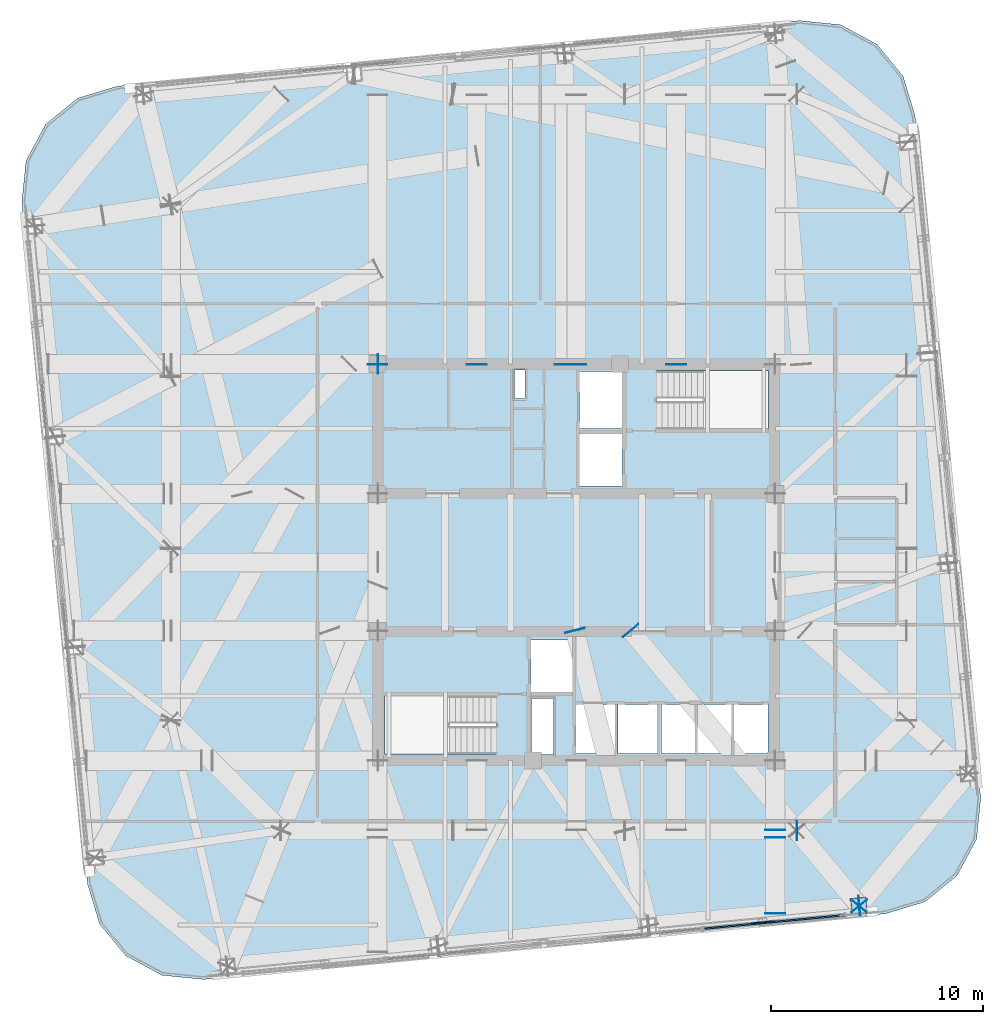
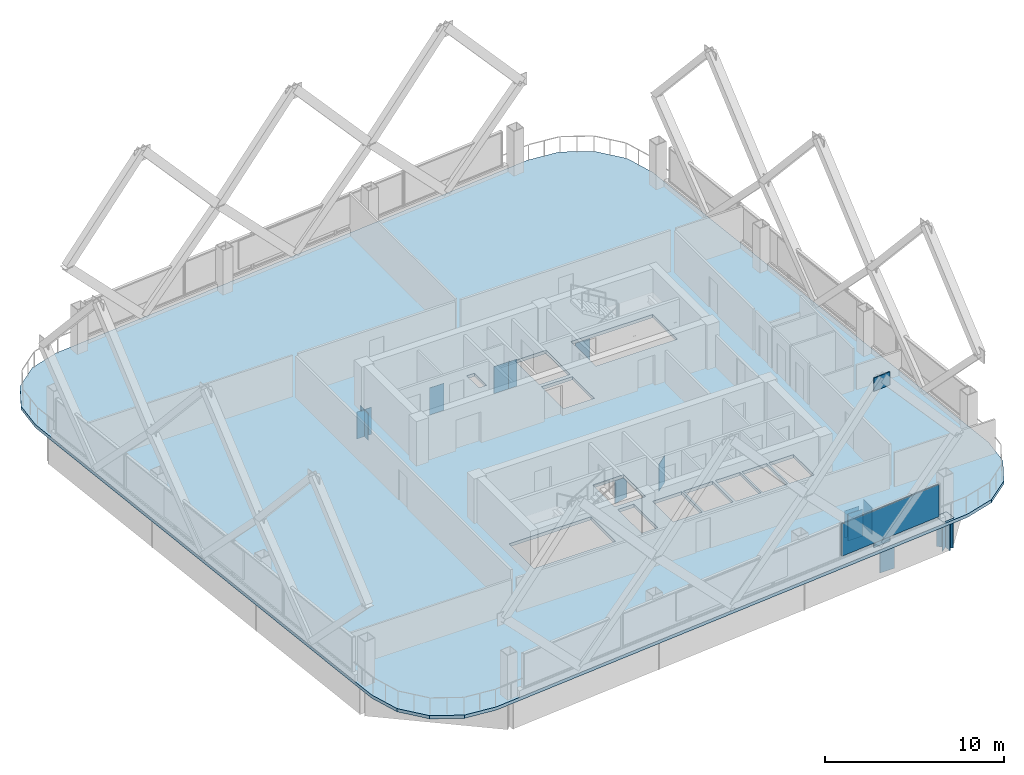
# One storey, part 30 of 37: 19 plates, 1 slab, 1 element without a shape of its own.
"""IFC4 building model written with IfcOpenShell, lengths in metres."""

from ifc_helpers import new_model, si_unit, direction, frame, origin, origin_2d, place, context, subcontext, project, spatial, polyline, rectangle, outline, extrude, material, layer, layer_set, type_object, element, aggregate, save


model = new_model("IFC4")

# Units and contexts
model_context = context("Model", 3, precision=1e-05, world=origin(), true_north=direction((0.0, 1.0)))
body_context = subcontext(model_context, "Body", "Model", "MODEL_VIEW")
ifc_project = project(units=[si_unit("LENGTHUNIT", "METRE"), si_unit("AREAUNIT", "SQUARE_METRE"), si_unit("VOLUMEUNIT", "CUBIC_METRE"), si_unit("PLANEANGLEUNIT", "RADIAN"), si_unit("MASSUNIT", "GRAM", prefix="KILO")], contexts=[model_context])

# Site, building, storey
site_placement = place(None, origin())
site = spatial("IfcSite", under=ifc_project, at=site_placement, CompositionType="ELEMENT")
building_placement = place(site_placement, origin())
building = spatial("IfcBuilding", under=site, at=building_placement, Name="Qhalaya Broadcast Tower", CompositionType="ELEMENT")
storey_placement = place(building_placement, frame((0.0, 0.0, 156.14990234375)))
storey = spatial("IfcBuildingStorey", under=building, at=storey_placement, Name="L45", CompositionType="ELEMENT", Elevation=156.14990234375)

# Plates
ifc_material_1 = material(Name="Structural Steel ASTM A572 Grade 50", Category="steel")
ifc_layer_1 = layer(ifc_material_1, 0.054931640625, Name="Structural Steel ASTM A572 Grade 50")
ifc_layer_set_1 = layer_set([ifc_layer_1], Name="Structural Steel ASTM A572 Grade 50")
plate_type_1 = type_object("IfcPlateType", Name="Exoskeleton Diamond Node Gusset Plate NP-01", PredefinedType="USERDEFINED", material=ifc_layer_set_1)
for number, where, z_axis, x_axis, name in (
    (1, (8.790771484375, -16.35986328125, 0.210205078125), (0.0, 0.0, 1.0), (0.995396198367, 0.09584575252, 0.0), "Exoskeleton Diamond Node B4-S3-BOT"),
    (2, (8.790771484375, -16.35986328125, 10.85009765625), (0.0, 0.0, 1.0), (0.995396198367, 0.09584575252, 0.0), "Exoskeleton Diamond Node B4-S3-TOP"),
):
    element("IfcPlate", number, at=place(storey_placement, frame(where, z_axis=z_axis, x_axis=x_axis)), inside=storey, type_object=plate_type_1, Name=name, ObjectType="GUSSET_PLATE", PredefinedType="USERDEFINED", context=body_context, shape_type="SweptSolid", body=[
        extrude(rectangle(XDim=1.10009765625, YDim=0.054931640625, at=origin_2d()), origin(), (0.0, 0.0, 1.0), 0.89990234375),
    ])
ifc_layer_2 = layer(ifc_material_1, 0.4599609375, Name="Structural Steel ASTM A572 Grade 50")
ifc_layer_set_2 = layer_set([ifc_layer_2], Name="Structural Steel ASTM A572 Grade 50")
plate_type_2 = type_object("IfcPlateType", Name="Hollow Box Member End Cap Plate CP-01", PredefinedType="USERDEFINED", material=ifc_layer_set_2)
for number, where, z_axis, x_axis, name in (
    (3, (13.336181640625, -15.58056640625, -2.0400390625), (0.0, 0.0, 1.0), (-0.09584575252, 0.995396198367, 0.0), "L45 Hollow Girder End Cap L45-SPR-03-B"),
    (4, (13.310302734375, -15.59423828125, -2.0400390625), (0.0, 0.0, 1.0), (-0.771624583388, 0.636078220278, 0.0), "L45 Hollow Girder End Cap L45-SPR-04-A"),
    (5, (10.39599609375, -12.0400390625, -2.0400390625), (0.0, 0.0, 1.0), (0.0, 1.0, 0.0), "L45 Hollow Girder End Cap L45-TGL-03-B"),
    (6, (-9.375, 9.93408203125, -2.0400390625), (0.0, 0.0, 1.0), (-1.0, 0.0, 0.0), "L45 Hollow Girder End Cap L45-TGINW-1-A"),
    (7, (0.0, 9.93408203125, -2.0400390625), (0.0, 0.0, 1.0), (-1.0, 0.0, 0.0), "L45 Hollow Girder End Cap L45-TGIMN-1-A"),
    (8, (-4.699951171875, 9.93408203125, -2.0400390625), (0.0, 0.0, 1.0), (-1.0, 0.0, 0.0), "L45 Hollow Girder End Cap L45-TGIMNW-1-A"),
    (9, (4.699951171875, 9.93408203125, -2.0400390625), (0.0, 0.0, 1.0), (-1.0, 0.0, 0.0), "L45 Hollow Girder End Cap L45-TGIMNE-1-A"),
    (10, (9.375, -12.01611328125, -2.0400390625), (0.0, 0.0, 1.0), (-1.0, 0.0, 0.0), "L45 Hollow Girder End Cap L45-TGISE-1-A"),
    (11, (-9.35888671875, 9.949951171875, -2.0400390625), (0.0, 0.0, 1.0), (0.0, 1.0, 0.0), "L45 Hollow Girder End Cap L45-TGIY4W-1-B"),
    (12, (-0.06787109375, -2.609619140625, -2.0400390625), (0.0, 0.0, 1.0), (0.970380113833, 0.241583183765, 0.0), "L45 Hollow Girder End Cap L45-TGA-03-A"),
    (13, (2.553955078125, -2.61279296875, -2.0400390625), (0.0, 0.0, 1.0), (0.769421851781, 0.638740960015, 0.0), "L45 Hollow Girder End Cap L45-TGA-04-A"),
    (14, (13.33056640625, -15.59423828125, -2.0400390625), (0.0, 0.0, 1.0), (0.769421851781, 0.638740960015, 0.0), "L45 Hollow Girder End Cap L45-TGC-04-B"),
    (15, (-0.558837890625, 9.93408203125, -2.0400390625), (0.0, 0.0, 1.0), (-1.0, 0.0, 0.0), "L45 Hollow Girder End Cap L45-TGA-10-A"),
    (16, (9.375, -15.957763671875, -2.0400390625), (0.0, 0.0, 1.0), (-1.0, 0.0, 0.0), "L45 Hollow Girder End Cap L45-PGXS2-OV1-A"),
    (17, (9.375, -12.364013671875, -2.0400390625), (0.0, 0.0, 1.0), (-1.0, 0.0, 0.0), "L45 Hollow Girder End Cap L45-PGXS2-OV1-B"),
):
    element("IfcPlate", number, at=place(storey_placement, frame(where, z_axis=z_axis, x_axis=x_axis)), inside=storey, type_object=plate_type_2, Name=name, ObjectType="COVER_PLATE", PredefinedType="USERDEFINED", context=body_context, shape_type="SweptSolid", body=[
        extrude(rectangle(XDim=0.93994140625, YDim=0.031982421875, at=origin_2d()), origin(), (0.0, 0.0, 1.0), 1.840087890625),
    ])
plate_1_placement = place(storey_placement, frame((13.3203125, -15.58203125, -0.03173828125), z_axis=(0.0, 0.0, 1.0), x_axis=(0.995396198367, 0.09584575252, 0.0)))
element("IfcPlate", 18, at=plate_1_placement, inside=storey, type_object=plate_type_2, Name="L45 Hollow Box Column Base Cap Plate COL-EX04", ObjectType="COVER_PLATE", PredefinedType="USERDEFINED", context=body_context, shape_type="SweptSolid", body=[
    extrude(rectangle(XDim=0.739990234375, YDim=0.739990234375, at=origin_2d()), origin(), (0.0, 0.0, 1.0), 0.031982421875),
])

# Curtain wall, plate
ifc_material_2 = material(Name="Fired Architectural Terracotta", Category="masonry")
ifc_layer_3 = layer(ifc_material_2, 0.219970703125, Name="Fired Architectural Terracotta")
ifc_layer_set_3 = layer_set([ifc_layer_3], Name="Fired Architectural Terracotta")
curtain_wall_type = type_object("IfcCurtainWallType", Name="Block-Cap Unitised Terracotta Spandrel Wall CW-07", PredefinedType="NOTDEFINED", material=ifc_layer_set_3)
curtain_wall_placement = place(storey_placement, origin())
curtain_wall = element("IfcCurtainWall", 19, at=curtain_wall_placement, inside=storey, type_object=curtain_wall_type, Name="L45 Unitised Curtain Wall L45-CW-S5", PredefinedType="NOTDEFINED")
ifc_layer_4 = layer(ifc_material_2, 0.080078125, Name="Fired Architectural Terracotta")
ifc_layer_set_4 = layer_set([ifc_layer_4], Name="Fired Architectural Terracotta")
plate_type_3 = type_object("IfcPlateType", Name="Insulated Terracotta Spandrel Panel TSP-07", PredefinedType="CURTAIN_PANEL", material=ifc_layer_set_4)
plate_2_placement = place(storey_placement, frame((9.33544921875, -16.347412109375, 0.55517578125), z_axis=(0.0, 0.0, 1.0), x_axis=(0.99539669829, 0.095840560477, 0.0)))
plate_2 = element("IfcPlate", 20, at=plate_2_placement, type_object=plate_type_3, Name="CW-07 panel 1.1", PredefinedType="CURTAIN_PANEL", context=body_context, shape_type="SweptSolid", body=[
    extrude(rectangle(XDim=6.630126953125, YDim=0.080078125, at=origin_2d()), origin(), (0.0, 0.0, 1.0), 2.199951171875),
])
aggregate(curtain_wall, [plate_2])

# Slab
ifc_material_3 = material(Name="Concrete C40/50", Category="concrete")
ifc_layer_5 = layer(ifc_material_3, 0.219970703125, Name="Concrete C40/50")
ifc_layer_set_5 = layer_set([ifc_layer_5], Name="Concrete C40/50")
slab_type = type_object("IfcSlabType", Name="Tower Composite Floor Slab 220", PredefinedType="FLOOR", material=ifc_layer_set_5)
slab_placement = place(storey_placement, frame((0.0, 0.0, -0.219970703125)))
element("IfcSlab", 21, at=slab_placement, inside=storey, type_object=slab_type, Name="L45 Main Structural Floor Slab", PredefinedType="FLOOR", context=body_context, shape_type="SweptSolid", body=[
    extrude(outline(polyline([(14.562744140625, -15.964599609375), (16.430908203125, -15.402587890625), (17.941650390625, -14.168212890625), (18.864990234375, -12.44970703125), (19.060546875, -10.508544921875), (15.964599609375, 21.642822265625), (15.402587890625, 23.510986328125), (14.168212890625, 25.021728515625), (12.44970703125, 25.945068359375), (10.508544921875, 26.140380859375), (-21.642822265625, 23.044677734375), (-23.510986328125, 22.482421875), (-25.021728515625, 21.248046875), (-25.945068359375, 19.529541015625), (-26.140380859375, 17.58837890625), (-23.044677734375, -14.562744140625), (-22.482421875, -16.430908203125), (-21.248046875, -17.941650390625), (-19.529541015625, -18.864990234375), (-17.58837890625, -19.060546875), (14.562744140625, -15.964599609375)]), holes=[polyline([(3.784912109375, 9.639892578125), (9.050048828125, 9.639892578125), (9.050048828125, 6.8798828125), (3.784912109375, 6.8798828125), (3.784912109375, 9.639892578125)]), polyline([(-3.784912109375, -8.43994140625), (-9.050048828125, -8.43994140625), (-9.050048828125, -5.679931640625), (-3.784912109375, -5.679931640625), (-3.784912109375, -8.43994140625)]), polyline([(0.14990234375, 6.64990234375), (2.14990234375, 6.64990234375), (2.14990234375, 4.199951171875), (0.14990234375, 4.199951171875), (0.14990234375, 6.64990234375)]), polyline([(0.14990234375, 9.60009765625), (2.14990234375, 9.60009765625), (2.14990234375, 6.89990234375), (0.14990234375, 6.89990234375), (0.14990234375, 9.60009765625)]), polyline([(-2.14990234375, -3.050048828125), (-0.14990234375, -3.050048828125), (-0.14990234375, -5.5), (-2.14990234375, -5.5), (-2.14990234375, -3.050048828125)]), polyline([(-0.050048828125, -6.10009765625), (1.830078125, -6.10009765625), (1.830078125, -8.39990234375), (-0.050048828125, -8.39990234375), (-0.050048828125, -6.10009765625)]), polyline([(1.949951171875, -6.10009765625), (3.830078125, -6.10009765625), (3.830078125, -8.39990234375), (1.949951171875, -8.39990234375), (1.949951171875, -6.10009765625)]), polyline([(4.0, -6.10009765625), (5.60009765625, -6.10009765625), (5.60009765625, -8.39990234375), (4.0, -8.39990234375), (4.0, -6.10009765625)]), polyline([(5.719970703125, -6.10009765625), (7.320068359375, -6.10009765625), (7.320068359375, -8.39990234375), (5.719970703125, -8.39990234375), (5.719970703125, -6.10009765625)]), polyline([(7.43994140625, -6.10009765625), (9.0400390625, -6.10009765625), (9.0400390625, -8.39990234375), (7.43994140625, -8.39990234375), (7.43994140625, -6.10009765625)]), polyline([(-2.919921875, 9.659912109375), (-2.419921875, 9.659912109375), (-2.419921875, 8.320068359375), (-2.919921875, 8.320068359375), (-2.919921875, 9.659912109375)]), polyline([(-2.1201171875, -5.820068359375), (-1.080078125, -5.820068359375), (-1.080078125, -8.4599609375), (-2.1201171875, -8.4599609375), (-2.1201171875, -5.820068359375)])]), origin(), (0.0, 0.0, 1.0), 0.219970703125),
])

save(model, "model.ifc")
